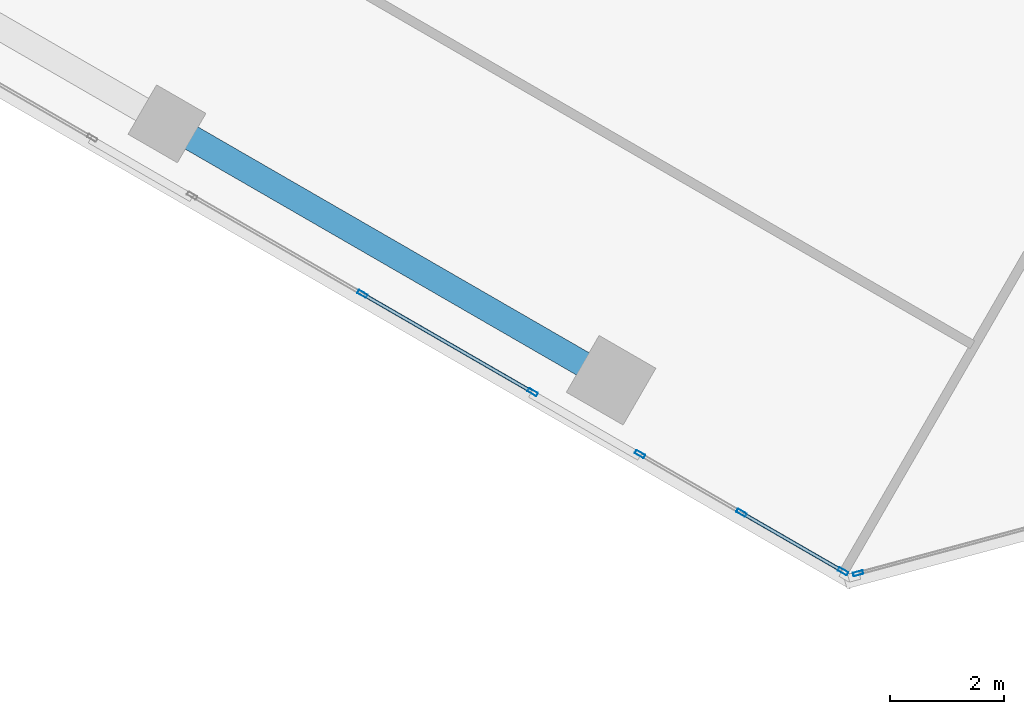
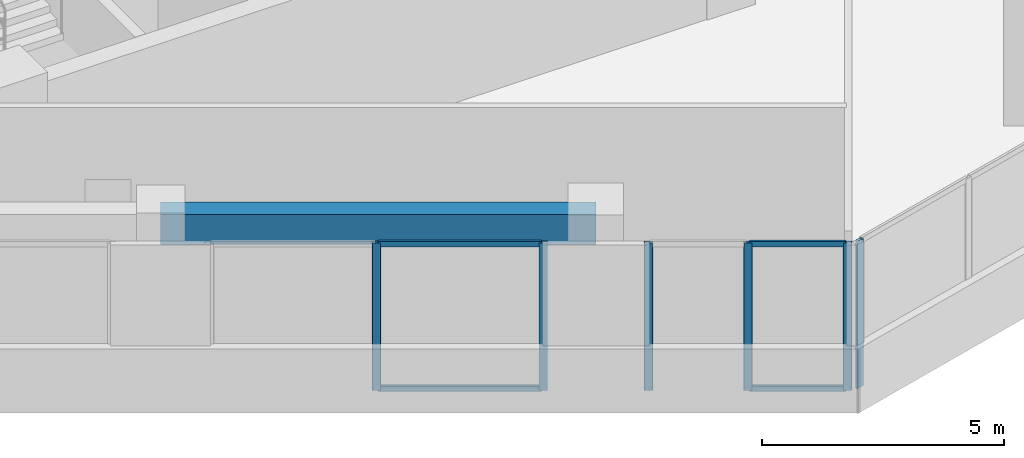
# One storey, part 4 of 21: 10 members, 1 beam, 3 elements without a shape of their own.
"""IFC4 building model written with IfcOpenShell, lengths in metres."""

from ifc_helpers import new_model, si_unit, direction, frame, origin, origin_2d, place, context, subcontext, project, spatial, rectangle, hollow_rectangle, extrude, source, transform, mapped, material, material_profile, profile_set, type_object, element, aggregate, save


model = new_model("IFC4")

# Units and contexts
model_context = context("Model", 3, precision=1e-05, world=origin(), true_north=direction((0.0, 1.0)))
body_context = subcontext(model_context, "Body", "Model", "MODEL_VIEW")
ifc_project = project(units=[si_unit("LENGTHUNIT", "METRE"), si_unit("AREAUNIT", "SQUARE_METRE"), si_unit("VOLUMEUNIT", "CUBIC_METRE"), si_unit("PLANEANGLEUNIT", "RADIAN"), si_unit("MASSUNIT", "GRAM", prefix="KILO")], contexts=[model_context])

# Site, building, storey
site_placement = place(None, origin())
site = spatial("IfcSite", under=ifc_project, at=site_placement, CompositionType="ELEMENT")
building_placement = place(site_placement, origin())
building = spatial("IfcBuilding", under=site, at=building_placement, Name="Torre Montelarca", CompositionType="ELEMENT")
storey_placement = place(building_placement, frame((0.0, 0.0, 179.199951171875)))
storey = spatial("IfcBuildingStorey", under=building, at=storey_placement, Name="L40", CompositionType="ELEMENT", Elevation=179.199951171875)

# Beam
ifc_material_1 = material(Name="Concrete C55/67", Category="concrete")
ifc_material_profile_1 = material_profile(ifc_material_1, rectangle(XDim=0.449951171875, YDim=0.75, at=origin_2d()), Name="RCB450X750", Category="concrete")
ifc_profile_set_1 = profile_set([ifc_material_profile_1], Name="Concrete C55/67")
beam_type = type_object("IfcBeamType", Name="BM-SP-RC750-EXT", PredefinedType="SPANDREL", material=ifc_profile_set_1)
shared_shape_1 = source(origin(), body_context, "Body", "SweptSolid", [
    extrude(rectangle(XDim=0.449951171875, YDim=0.75, at=origin_2d()), origin(), (0.0, 0.0, 1.0), 9.0),
])
beam_placement = place(storey_placement, frame((9.868896484375, 18.8544921875, 3.5849609375), z_axis=(0.866024315419, -0.5000018851, 0.0), x_axis=(0.5000018851, 0.866024315419, 0.0)))
element("IfcBeam", 1, at=beam_placement, inside=storey, type_object=beam_type, Name="L40 Grid Girder X 18.0-27.0 at Y=14.8", PredefinedType="SPANDREL", context=body_context, shape_type="MappedRepresentation", body=[
    mapped(shared_shape_1, transform((0.0, 0.0, 0.0), scale=1.0)),
])

# Curtain wall, members
ifc_material_2 = material(Name="Insulated low-E laminated glass", Category="glass")
curtain_wall_type = type_object("IfcCurtainWallType", Name="CW-SYS-Z2", PredefinedType="USERDEFINED", material=ifc_material_2)
curtain_wall_1_placement = place(storey_placement, origin())
curtain_wall_1 = element("IfcCurtainWall", 2, at=curtain_wall_1_placement, inside=storey, type_object=curtain_wall_type, Name="L40 Curtain Wall Run CW-T3-L40-E01-B2", ObjectType="UNITISED GLAZING", PredefinedType="USERDEFINED")
ifc_material_3 = material(Name="Anodised aluminium AA 6063-T6", Category="aluminium")
ifc_material_profile_2 = material_profile(ifc_material_3, hollow_rectangle(XDim=0.06494140625, YDim=0.179931640625, WallThickness=0.00390625, InnerFilletRadius=0.00390625, OuterFilletRadius=0.008056640625, at=origin_2d()), Name="ALU65X180X4", Category="aluminium")
ifc_profile_set_2 = profile_set([ifc_material_profile_2], Name="Anodised aluminium AA 6063-T6")
member_type_1 = type_object("IfcMemberType", Name="CWM-ALU180", PredefinedType="MULLION", material=ifc_profile_set_2)
shared_shape_2 = source(origin(), body_context, "Body", "SweptSolid", [
    extrude(hollow_rectangle(XDim=0.06494140625, YDim=0.179931640625, WallThickness=0.00390625, InnerFilletRadius=0.00390625, OuterFilletRadius=0.008056640625, at=origin_2d()), origin(), (0.0, 0.0, 1.0), 3.719970703125),
])
member_1_placement = place(storey_placement, frame((13.298583984375, 15.86962890625, 0.0), z_axis=(0.0, 0.0, 1.0), x_axis=(0.500004161515, 0.866023001119, 0.0)))
member_1 = element("IfcMember", 3, at=member_1_placement, type_object=member_type_1, Name="CW mullion 2", PredefinedType="MULLION", context=body_context, shape_type="MappedRepresentation", body=[
    mapped(shared_shape_2, transform((0.0, 0.0, 0.0), scale=1.0)),
])
member_2_placement = place(storey_placement, frame((16.2861328125, 14.14453125, 0.0), z_axis=(0.0, 0.0, 1.0), x_axis=(0.500004161515, 0.866023001119, 0.0)))
member_2 = element("IfcMember", 4, at=member_2_placement, type_object=member_type_1, Name="CW mullion 3", PredefinedType="MULLION", context=body_context, shape_type="MappedRepresentation", body=[
    mapped(shared_shape_2, transform((0.0, 0.0, 0.0), scale=1.0)),
])

curtain_wall_2_placement = place(storey_placement, origin())
curtain_wall_2 = element("IfcCurtainWall", 5, at=curtain_wall_2_placement, inside=storey, type_object=curtain_wall_type, Name="L40 Curtain Wall Run CW-T3-L40-E01-B3", ObjectType="UNITISED GLAZING", PredefinedType="USERDEFINED")
member_3_placement = place(storey_placement, frame((18.169921875, 13.05712890625, 0.0), z_axis=(0.0, 0.0, 1.0), x_axis=(0.499988951866, 0.866031782334, 0.0)))
member_3 = element("IfcMember", 6, at=member_3_placement, type_object=member_type_1, Name="CW mullion 1", PredefinedType="MULLION", context=body_context, shape_type="MappedRepresentation", body=[
    mapped(shared_shape_2, transform((0.0, 0.0, 0.0), scale=1.0)),
])
member_4_placement = place(storey_placement, frame((19.951416015625, 12.028564453125, 0.0), z_axis=(0.0, 0.0, 1.0), x_axis=(0.499988951866, 0.866031782334, 0.0)))
member_4 = element("IfcMember", 7, at=member_4_placement, type_object=member_type_1, Name="CW mullion 2", PredefinedType="MULLION", context=body_context, shape_type="MappedRepresentation", body=[
    mapped(shared_shape_2, transform((0.0, 0.0, 0.0), scale=1.0)),
])
member_5_placement = place(storey_placement, frame((21.73291015625, 11.0, 0.0), z_axis=(0.0, 0.0, 1.0), x_axis=(0.499988951866, 0.866031782334, 0.0)))
member_5 = element("IfcMember", 8, at=member_5_placement, type_object=member_type_1, Name="CW mullion 3", PredefinedType="MULLION", context=body_context, shape_type="MappedRepresentation", body=[
    mapped(shared_shape_2, transform((0.0, 0.0, 0.0), scale=1.0)),
])

# Curtain wall, member
curtain_wall_3_placement = place(storey_placement, origin())
curtain_wall_3 = element("IfcCurtainWall", 9, at=curtain_wall_3_placement, inside=storey, type_object=curtain_wall_type, Name="L40 Curtain Wall Run CW-T3-L40-E02-B1", ObjectType="UNITISED GLAZING", PredefinedType="USERDEFINED")
member_6_placement = place(storey_placement, frame((21.997802734375, 10.96533203125, 0.0), z_axis=(0.0, 0.0, 1.0), x_axis=(-0.258825645334, 0.965924057738, 0.0)))
member_6 = element("IfcMember", 10, at=member_6_placement, type_object=member_type_1, Name="CW mullion 1", PredefinedType="MULLION", context=body_context, shape_type="MappedRepresentation", body=[
    mapped(shared_shape_2, transform((0.0, 0.0, 0.0), scale=1.0)),
])
aggregate(curtain_wall_3, [member_6])

# Member
ifc_material_profile_3 = material_profile(ifc_material_3, hollow_rectangle(XDim=0.06494140625, YDim=0.139892578125, WallThickness=0.00390625, InnerFilletRadius=0.00390625, OuterFilletRadius=0.008056640625, at=origin_2d()), Name="ALU65X140X4", Category="aluminium")
ifc_profile_set_3 = profile_set([ifc_material_profile_3], Name="Anodised aluminium AA 6063-T6")
member_type_2 = type_object("IfcMemberType", Name="CWT-ALU140", PredefinedType="USERDEFINED", material=ifc_profile_set_3)
shared_shape_3 = source(origin(), body_context, "Body", "SweptSolid", [
    extrude(hollow_rectangle(XDim=0.06494140625, YDim=0.139892578125, WallThickness=0.00390625, InnerFilletRadius=0.00390625, OuterFilletRadius=0.008056640625, at=origin_2d()), origin(), (0.0, 0.0, 1.0), 3.385009765625),
])
member_7_placement = place(storey_placement, frame((13.32666015625, 15.853515625, 0.032470703125), z_axis=(0.866001813541, -0.500040857274, 0.0), x_axis=(0.500040857274, 0.866001813541, 0.0)))
member_7 = element("IfcMember", 11, at=member_7_placement, type_object=member_type_2, Name="CW transom 2.1", ObjectType="TRANSOM", PredefinedType="USERDEFINED", context=body_context, shape_type="MappedRepresentation", body=[
    mapped(shared_shape_3, transform((0.0, 0.0, 0.0), scale=1.0)),
])

member_8_placement = place(storey_placement, frame((13.32666015625, 15.853515625, 3.6875), z_axis=(0.866001813541, -0.500040857274, 0.0), x_axis=(0.500040857274, 0.866001813541, 0.0)))
member_8 = element("IfcMember", 12, at=member_8_placement, type_object=member_type_2, Name="CW transom 2.2", ObjectType="TRANSOM", PredefinedType="USERDEFINED", context=body_context, shape_type="MappedRepresentation", body=[
    mapped(shared_shape_3, transform((0.0, 0.0, 0.0), scale=1.0)),
])

aggregate(curtain_wall_1, [member_1, member_2, member_7, member_8])

shared_shape_4 = source(origin(), body_context, "Body", "SweptSolid", [
    extrude(hollow_rectangle(XDim=0.06494140625, YDim=0.139892578125, WallThickness=0.00390625, InnerFilletRadius=0.00390625, OuterFilletRadius=0.008056640625, at=origin_2d()), origin(), (0.0, 0.0, 1.0), 1.9921875),
])
member_9_placement = place(storey_placement, frame((19.9794921875, 12.012451171875, 0.032470703125), z_axis=(0.866032532966, -0.499987651691, 0.0), x_axis=(0.499987651691, 0.866032532966, 0.0)))
member_9 = element("IfcMember", 13, at=member_9_placement, type_object=member_type_2, Name="CW transom 2.1", ObjectType="TRANSOM", PredefinedType="USERDEFINED", context=body_context, shape_type="MappedRepresentation", body=[
    mapped(shared_shape_4, transform((0.0, 0.0, 0.0), scale=1.0)),
])

member_10_placement = place(storey_placement, frame((19.9794921875, 12.012451171875, 3.6875), z_axis=(0.866032532966, -0.499987651691, 0.0), x_axis=(0.499987651691, 0.866032532966, 0.0)))
member_10 = element("IfcMember", 14, at=member_10_placement, type_object=member_type_2, Name="CW transom 2.2", ObjectType="TRANSOM", PredefinedType="USERDEFINED", context=body_context, shape_type="MappedRepresentation", body=[
    mapped(shared_shape_4, transform((0.0, 0.0, 0.0), scale=1.0)),
])

aggregate(curtain_wall_2, [member_3, member_4, member_5, member_9, member_10])

save(model, "model.ifc")
